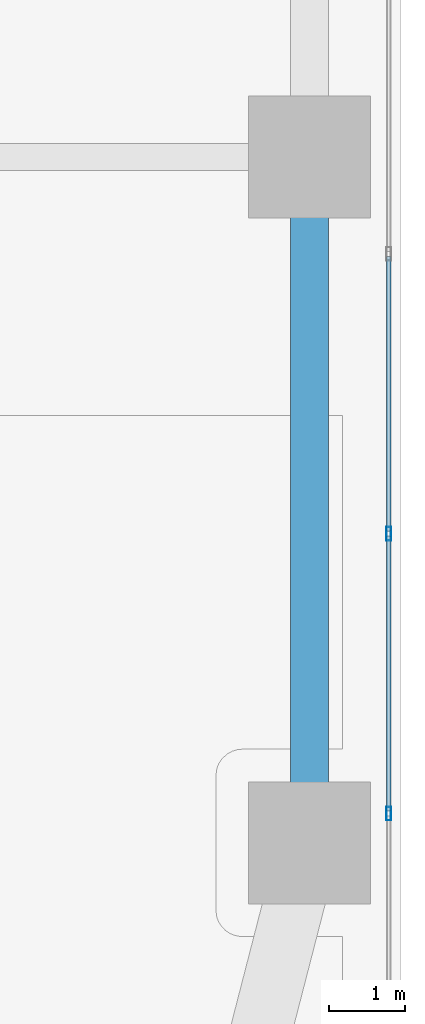
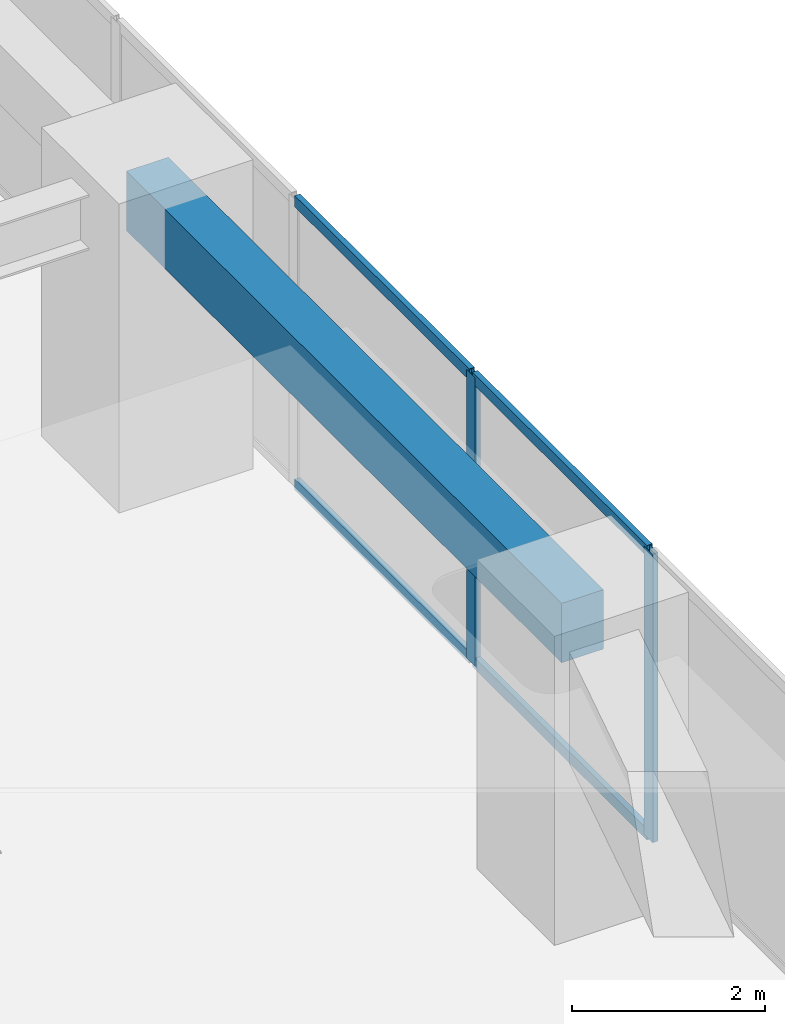
# One storey, part 6 of 28: 6 members, 1 beam, 1 element without a shape of its own.
"""IFC4 building model written with IfcOpenShell, lengths in metres."""

from ifc_helpers import new_model, si_unit, direction, frame, origin, origin_2d, place, context, subcontext, project, spatial, rectangle, hollow_rectangle, extrude, material, layer, layer_set, material_profile, profile_set, type_object, element, aggregate, save


model = new_model("IFC4")

# Units and contexts
model_context = context("Model", 3, precision=1e-05, world=origin(), true_north=direction((0.0, 1.0)))
body_context = subcontext(model_context, "Body", "Model", "MODEL_VIEW")
ifc_project = project(units=[si_unit("LENGTHUNIT", "METRE"), si_unit("AREAUNIT", "SQUARE_METRE"), si_unit("VOLUMEUNIT", "CUBIC_METRE"), si_unit("PLANEANGLEUNIT", "RADIAN"), si_unit("MASSUNIT", "GRAM", prefix="KILO")], contexts=[model_context])

# Site, building, storey
site_placement = place(None, origin())
site = spatial("IfcSite", under=ifc_project, at=site_placement, CompositionType="ELEMENT")
building_placement = place(site_placement, origin())
building = spatial("IfcBuilding", under=site, at=building_placement, Name="Kiyonajd Concourse Tower", CompositionType="ELEMENT")
storey_placement = place(building_placement, frame((0.0, 0.0, 56.699951171875)))
storey = spatial("IfcBuildingStorey", under=building, at=storey_placement, Name="L15", CompositionType="ELEMENT", Elevation=56.699951171875)

# Beam
ifc_material_1 = material(Name="Precast concrete C50/60", Category="concrete")
ifc_material_profile_1 = material_profile(ifc_material_1, rectangle(XDim=0.5, YDim=0.75, at=origin_2d()), Name="RCBM-500x750")
ifc_profile_set_1 = profile_set([ifc_material_profile_1], Name="Precast concrete C50/60")
beam_type = type_object("IfcBeamType", Name="BM-SPAN-RC", PredefinedType="SPANDREL", material=ifc_profile_set_1)
beam_placement = place(storey_placement, frame((78.0, 18.60009765625, 3.26513671875), z_axis=(0.0, 1.0, 0.0), x_axis=(-1.0, 0.0, 0.0)))
element("IfcBeam", 1, at=beam_placement, inside=storey, type_object=beam_type, Name="L15 Perimeter Bundled Tube Spandrel", PredefinedType="SPANDREL", context=body_context, shape_type="SweptSolid", body=[
    extrude(rectangle(XDim=0.5, YDim=0.75, at=origin_2d()), origin(), (0.0, 0.0, 1.0), 9.0),
])

# Curtain wall, members
ifc_material_2 = material(Name="Thermally Broken Anodised Aluminium", Category="aluminium")
ifc_layer = layer(ifc_material_2, 0.179931640625)
ifc_layer_set = layer_set([ifc_layer], Name="Thermally Broken Anodised Aluminium")
curtain_wall_type = type_object("IfcCurtainWallType", Name="CW-SYS-02", PredefinedType="NOTDEFINED", material=ifc_layer_set)
curtain_wall_placement = place(storey_placement, origin())
curtain_wall = element("IfcCurtainWall", 2, at=curtain_wall_placement, inside=storey, type_object=curtain_wall_type, Name="L15 Unitised Curtain Wall CW2", PredefinedType="NOTDEFINED")
ifc_material_profile_2 = material_profile(ifc_material_2, hollow_rectangle(XDim=0.06494140625, YDim=0.179931640625, WallThickness=0.00390625, at=origin_2d()), Name="MULL-65x180")
ifc_profile_set_2 = profile_set([ifc_material_profile_2], Name="Thermally Broken Anodised Aluminium")
member_type_1 = type_object("IfcMemberType", Name="MB-CW-MULL1", PredefinedType="MULLION", material=ifc_profile_set_2)
member_1_placement = place(storey_placement, frame((79.0400390625, 22.657470703125, 0.0), z_axis=(0.0, 0.0, 1.0), x_axis=(1.0, 0.0, 0.0)))
member_1 = element("IfcMember", 3, at=member_1_placement, type_object=member_type_1, Name="CW2 mullion 5", PredefinedType="MULLION", context=body_context, shape_type="SweptSolid", body=[
    extrude(hollow_rectangle(XDim=0.06494140625, YDim=0.179931640625, WallThickness=0.00390625, at=origin_2d()), origin(), (0.0, 0.0, 1.0), 3.64013671875),
])
member_2_placement = place(storey_placement, frame((79.0400390625, 18.984130859375, 0.0), z_axis=(0.0, 0.0, 1.0), x_axis=(1.0, 0.0, 0.0)))
member_2 = element("IfcMember", 4, at=member_2_placement, type_object=member_type_1, Name="CW2 mullion 6", PredefinedType="MULLION", context=body_context, shape_type="SweptSolid", body=[
    extrude(hollow_rectangle(XDim=0.06494140625, YDim=0.179931640625, WallThickness=0.00390625, at=origin_2d()), origin(), (0.0, 0.0, 1.0), 3.64013671875),
])
ifc_material_profile_3 = material_profile(ifc_material_2, hollow_rectangle(XDim=0.06494140625, YDim=0.139892578125, WallThickness=0.00390625, at=origin_2d()), Name="TRAN-65x140")
ifc_profile_set_3 = profile_set([ifc_material_profile_3], Name="Thermally Broken Anodised Aluminium")
member_type_2 = type_object("IfcMemberType", Name="MB-CW-TRAN1", PredefinedType="USERDEFINED", material=ifc_profile_set_3)
member_3_placement = place(storey_placement, frame((79.0400390625, 26.298095703125, 0.032470703125), z_axis=(0.0, -1.0, 0.0), x_axis=(1.0, 0.0, 0.0)))
member_3 = element("IfcMember", 5, at=member_3_placement, type_object=member_type_2, Name="CW2 transom 4.1", ObjectType="TRANSOM", PredefinedType="USERDEFINED", context=body_context, shape_type="SweptSolid", body=[
    extrude(hollow_rectangle(XDim=0.06494140625, YDim=0.139892578125, WallThickness=0.00390625, at=origin_2d()), origin(), (0.0, 0.0, 1.0), 3.608154296875),
])
member_4_placement = place(storey_placement, frame((79.0400390625, 26.298095703125, 3.607666015625), z_axis=(0.0, -1.0, 0.0), x_axis=(1.0, 0.0, 0.0)))
member_4 = element("IfcMember", 6, at=member_4_placement, type_object=member_type_2, Name="CW2 transom 4.2", ObjectType="TRANSOM", PredefinedType="USERDEFINED", context=body_context, shape_type="SweptSolid", body=[
    extrude(hollow_rectangle(XDim=0.06494140625, YDim=0.139892578125, WallThickness=0.00390625, at=origin_2d()), origin(), (0.0, 0.0, 1.0), 3.608154296875),
])
member_5_placement = place(storey_placement, frame((79.0400390625, 22.625, 0.032470703125), z_axis=(0.0, -1.0, 0.0), x_axis=(1.0, 0.0, 0.0)))
member_5 = element("IfcMember", 7, at=member_5_placement, type_object=member_type_2, Name="CW2 transom 5.1", ObjectType="TRANSOM", PredefinedType="USERDEFINED", context=body_context, shape_type="SweptSolid", body=[
    extrude(hollow_rectangle(XDim=0.06494140625, YDim=0.139892578125, WallThickness=0.00390625, at=origin_2d()), origin(), (0.0, 0.0, 1.0), 3.608154296875),
])
member_6_placement = place(storey_placement, frame((79.0400390625, 22.625, 3.607666015625), z_axis=(0.0, -1.0, 0.0), x_axis=(1.0, 0.0, 0.0)))
member_6 = element("IfcMember", 8, at=member_6_placement, type_object=member_type_2, Name="CW2 transom 5.2", ObjectType="TRANSOM", PredefinedType="USERDEFINED", context=body_context, shape_type="SweptSolid", body=[
    extrude(hollow_rectangle(XDim=0.06494140625, YDim=0.139892578125, WallThickness=0.00390625, at=origin_2d()), origin(), (0.0, 0.0, 1.0), 3.608154296875),
])
aggregate(curtain_wall, [member_1, member_2, member_3, member_4, member_5, member_6])

save(model, "model.ifc")
